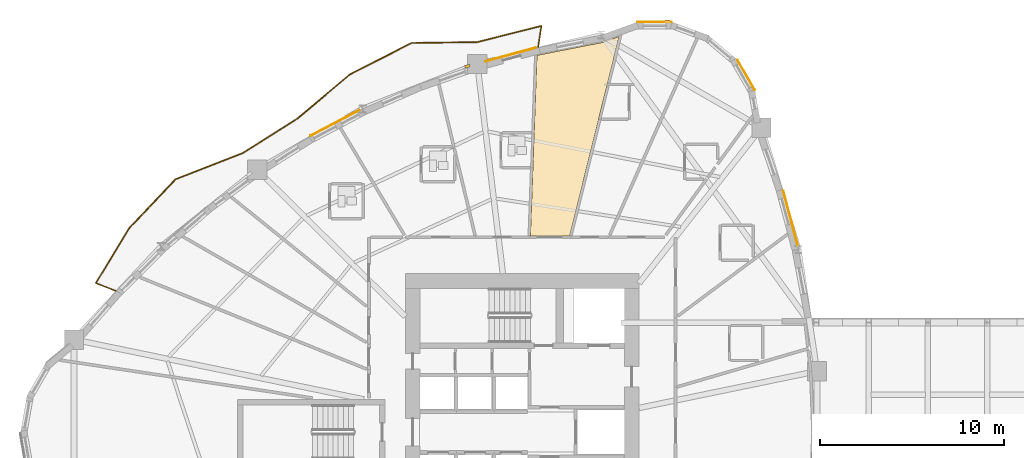
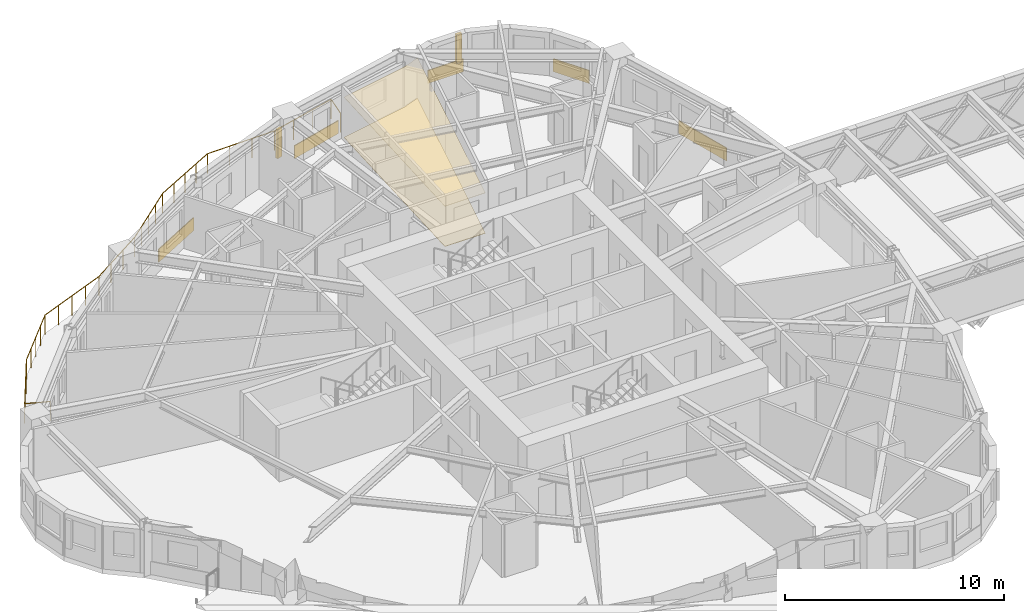
# One storey, part 15 of 16: 7 coverings, 2 shading devices, 1 railing.
"""IFC4 building model written with IfcOpenShell, lengths in metres."""

import ifcopenshell
import ifcopenshell.guid

model = None  # the IFC model being written
_history = None  # IfcOwnerHistory: only IFC2X3 demands one
_inside = {}  # id of a spatial element -> (the spatial element, [elements in it])
_under = {}  # id of a project, library or spatial element -> (it, [spatial elements below it])
_declared = {}  # id of a project -> (the project, [libraries it declares])
_typed = {}  # id of a type object -> (the type object, [elements of that type])
_made_of = {}  # id of a material, layer set ... -> (it, [elements and type objects made of it])


def new_model(schema):
    """Start an empty IFC model of exactly this schema.

    Asked for "IFC4X3", IfcOpenShell would pick the latest addendum, in which some entities
    have other attributes; the version numbers below select the first issue.
    IFC2X3 requires an IfcOwnerHistory on every rooted entity: one is made here for all.
    """
    global model, _history
    if schema == "IFC4X3":
        model = ifcopenshell.file(schema_version=(4, 3, 0, 0))
    else:
        model = ifcopenshell.file(schema=schema)
    _inside.clear()
    _under.clear()
    _declared.clear()
    _typed.clear()
    _made_of.clear()
    _history = None
    if model.schema == "IFC2X3":
        org = make("IfcOrganization", Name="unknown")
        user = make(
            "IfcPersonAndOrganization",
            ThePerson=make("IfcPerson", FamilyName="unknown"),
            TheOrganization=org,
        )
        app = make(
            "IfcApplication",
            ApplicationDeveloper=org,
            Version="unknown",
            ApplicationFullName="unknown",
            ApplicationIdentifier="unknown",
        )
        _history = make(
            "IfcOwnerHistory",
            OwningUser=user,
            OwningApplication=app,
            ChangeAction="ADDED",
            CreationDate=0,
        )
    return model


def make(cls, **values):
    """One entity of the class cls with the attributes given. An attribute that is None is left unset."""
    return model.create_entity(
        cls, **{name: value for name, value in values.items() if value is not None}
    )


def rooted(cls, **values):
    """An entity with a GlobalId (a new one), such as an element, a storey or a relation."""
    return make(cls, GlobalId=ifcopenshell.guid.new(), OwnerHistory=_history, **values)


def si_unit(unit_type, name, prefix=None):
    """IfcSIUnit, for example si_unit("LENGTHUNIT", "METRE", prefix="MILLI")."""
    return make("IfcSIUnit", UnitType=unit_type, Prefix=prefix, Name=name)


def assignment(units):
    """IfcUnitAssignment: the units of a project."""
    return None if units is None else make("IfcUnitAssignment", Units=units)


def point(xyz):
    """IfcCartesianPoint."""
    return None if xyz is None else make("IfcCartesianPoint", Coordinates=xyz)


def direction(xyz):
    """IfcDirection."""
    return None if xyz is None else make("IfcDirection", DirectionRatios=xyz)


def frame(location, z_axis=None, x_axis=None):
    """IfcAxis2Placement3D, a coordinate frame: its origin and axes. An axis left out is left unset."""
    return make(
        "IfcAxis2Placement3D",
        Location=point(location),
        Axis=direction(z_axis),
        RefDirection=direction(x_axis),
    )


def frame_2d(location, x_axis=None):
    """IfcAxis2Placement2D, a coordinate frame in the plane: its origin and x axis."""
    return make(
        "IfcAxis2Placement2D", Location=point(location), RefDirection=direction(x_axis)
    )


def origin():
    """The frame at (0, 0, 0) with its axes left unset."""
    return frame((0.0, 0.0, 0.0))


def origin_2d():
    """The frame at (0, 0) in the plane with its x axis left unset."""
    return frame_2d((0.0, 0.0))


def place(relative_to, where):
    """IfcLocalPlacement: puts the frame where relative to a parent placement (None: the world)."""
    return make(
        "IfcLocalPlacement", PlacementRelTo=relative_to, RelativePlacement=where
    )


def context(
    kind, dimensions, precision=None, world=None, true_north=None, identifier=None
):
    """IfcGeometricRepresentationContext, for example the 3D "Model" context."""
    return make(
        "IfcGeometricRepresentationContext",
        ContextIdentifier=identifier,
        ContextType=kind,
        CoordinateSpaceDimension=dimensions,
        Precision=precision,
        WorldCoordinateSystem=world,
        TrueNorth=true_north,
    )


def subcontext(parent, identifier, kind, view, scale=None):
    """IfcGeometricRepresentationSubContext, for example "Body" below "Model"."""
    return make(
        "IfcGeometricRepresentationSubContext",
        ContextIdentifier=identifier,
        ContextType=kind,
        ParentContext=parent,
        TargetScale=scale,
        TargetView=view,
    )


def project(units=None, contexts=None):
    """IfcProject with its units and contexts."""
    return rooted(
        "IfcProject",
        Name="project",
        RepresentationContexts=contexts,
        UnitsInContext=assignment(units),
    )


def spatial(cls, under=None, at=None, **own):
    """A site, building, storey or space (cls), placed at a placement, below another one or the project."""
    s = rooted(cls, ObjectPlacement=at, **own)
    if under is not None:
        _under.setdefault(under.id(), (under, []))[1].append(s)
    return s


def polyline(points):
    """IfcPolyline through the points."""
    return make("IfcPolyline", Points=[point(p) for p in points])


def profile(cls, at=None, kind="AREA", **sizes):
    """A parametric profile (cls). Its sizes go by their IFC names, for example OverallWidth=200.0."""
    return make(cls, ProfileType=kind, Position=at, **sizes)


def rectangle(**sizes):
    """IfcRectangleProfileDef."""
    return profile("IfcRectangleProfileDef", **sizes)


def circle(**sizes):
    """IfcCircleProfileDef."""
    return profile("IfcCircleProfileDef", **sizes)


def outline(outer, holes=None, kind="AREA"):
    """IfcArbitraryClosedProfileDef: a profile drawn as a closed curve; with holes, ...WithVoids."""
    if holes is None:
        return make("IfcArbitraryClosedProfileDef", ProfileType=kind, OuterCurve=outer)
    return make(
        "IfcArbitraryProfileDefWithVoids",
        ProfileType=kind,
        OuterCurve=outer,
        InnerCurves=holes,
    )


def extrude(swept, where, along, depth):
    """IfcExtrudedAreaSolid: the profile swept, set in the frame where, extruded along a direction by depth."""
    return make(
        "IfcExtrudedAreaSolid",
        SweptArea=swept,
        Position=where,
        ExtrudedDirection=direction(along),
        Depth=depth,
    )


def shape(context_of_items, identifier, shape_type, items):
    """IfcShapeRepresentation: the items that make up one representation, for example the "Body"."""
    return make(
        "IfcShapeRepresentation",
        ContextOfItems=context_of_items,
        RepresentationIdentifier=identifier,
        RepresentationType=shape_type,
        Items=items,
    )


def source(mapping_origin, context_of_items, identifier, shape_type, items):
    """IfcRepresentationMap: a shape defined once, which mapped items show again and again."""
    return make(
        "IfcRepresentationMap",
        MappingOrigin=mapping_origin,
        MappedRepresentation=shape(context_of_items, identifier, shape_type, items),
    )


def transform(
    local_origin,
    x_axis=None,
    y_axis=None,
    z_axis=None,
    scale=None,
    scale2=None,
    scale3=None,
    uniform=True,
):
    """IfcCartesianTransformationOperator3D, or its non-uniform kind. x_axis, y_axis, z_axis: its Axis1, 2, 3."""
    if uniform:
        return make(
            "IfcCartesianTransformationOperator3D",
            Axis1=direction(x_axis),
            Axis2=direction(y_axis),
            LocalOrigin=point(local_origin),
            Scale=scale,
            Axis3=direction(z_axis),
        )
    return make(
        "IfcCartesianTransformationOperator3DnonUniform",
        Axis1=direction(x_axis),
        Axis2=direction(y_axis),
        LocalOrigin=point(local_origin),
        Scale=scale,
        Axis3=direction(z_axis),
        Scale2=scale2,
        Scale3=scale3,
    )


def mapped(mapping_source, mapping_target):
    """IfcMappedItem: shows the shape of a source again, moved by a transform."""
    return make(
        "IfcMappedItem", MappingSource=mapping_source, MappingTarget=mapping_target
    )


def material(Name=None, Category=None):
    """IfcMaterial."""
    return make("IfcMaterial", Name=Name, Category=Category)


def layer(
    of_material, thickness, ventilated=None, Name=None, Category=None, Priority=None
):
    """IfcMaterialLayer: one layer of a wall or slab, of a material (None: an air gap)."""
    return make(
        "IfcMaterialLayer",
        Material=of_material,
        LayerThickness=thickness,
        IsVentilated=ventilated,
        Name=Name,
        Category=Category,
        Priority=Priority,
    )


def layer_set(layers, Name=None):
    """IfcMaterialLayerSet."""
    return make("IfcMaterialLayerSet", MaterialLayers=layers, LayerSetName=Name)


def made_of(thing, what):
    """Note that an element or type object is made of a material, layer set ...; save() writes the relation."""
    if what is not None:
        _made_of.setdefault(what.id(), (what, []))[1].append(thing)
    return thing


def type_object(cls, material=None, **own):
    """A type object (cls), such as IfcWallType, which elements share."""
    return made_of(rooted(cls, **own), material)


def element(
    cls,
    number,
    at=None,
    inside=None,
    cuts=None,
    type_object=None,
    material=None,
    context=None,
    identifier="Body",
    shape_type=None,
    held_by="IfcProductDefinitionShape",
    body=None,
    shapes=None,
    **own,
):
    """One element of the class cls, such as IfcWall. Its Tag is "e" and its number.

    at: its placement. inside: the storey or other place that contains it. cuts: it is an
    opening in that element (IfcRelVoidsElement). A single representation is given by context,
    identifier, shape_type and body (its items); several are given by shapes. held_by: the class
    of the entity that holds the representations. save() writes the other relations.
    """
    e = rooted(cls, Tag="e%d" % number, ObjectPlacement=at, **own)
    if body is not None:
        shapes = [shape(context, identifier, shape_type, body)]
    if shapes is not None:
        e.Representation = make(held_by, Representations=shapes)
    if inside is not None:
        _inside.setdefault(inside.id(), (inside, []))[1].append(e)
    if cuts is not None:
        rooted(
            "IfcRelVoidsElement", RelatingBuildingElement=cuts, RelatedOpeningElement=e
        )
    if type_object is not None:
        _typed.setdefault(type_object.id(), (type_object, []))[1].append(e)
    return made_of(e, material)


def aggregate(whole, parts):
    """IfcRelAggregates: a whole, such as a stair, and the parts it consists of."""
    return rooted("IfcRelAggregates", RelatingObject=whole, RelatedObjects=parts)


def save(model, path):
    """Write the relations noted so far, then the file.

    IfcRelAggregates (storeys below a building ...), IfcRelContainedInSpatialStructure (elements
    in a storey), IfcRelDefinesByType, IfcRelAssociatesMaterial and IfcRelDeclares: one each for
    every whole, place, type object, material and project.
    """
    for whole, parts in _under.values():
        aggregate(whole, parts)
    for where, things in _inside.values():
        rooted(
            "IfcRelContainedInSpatialStructure",
            RelatedElements=things,
            RelatingStructure=where,
        )
    for kind, things in _typed.values():
        rooted("IfcRelDefinesByType", RelatedObjects=things, RelatingType=kind)
    for what, things in _made_of.values():
        rooted("IfcRelAssociatesMaterial", RelatedObjects=things, RelatingMaterial=what)
    for by, libraries in _declared.values():
        rooted("IfcRelDeclares", RelatingContext=by, RelatedDefinitions=libraries)
    model.write(path)


model = new_model("IFC4")

# Units and contexts
model_context = context("Model", 3, precision=1e-05, world=origin(), true_north=direction((0.0, 1.0)))
body_context = subcontext(model_context, "Body", "Model", "MODEL_VIEW")
ifc_project = project(units=[si_unit("LENGTHUNIT", "METRE"), si_unit("AREAUNIT", "SQUARE_METRE"), si_unit("VOLUMEUNIT", "CUBIC_METRE"), si_unit("PLANEANGLEUNIT", "RADIAN"), si_unit("MASSUNIT", "GRAM", prefix="KILO")], contexts=[model_context])

# Site, building, storey
site_placement = place(None, origin())
site = spatial("IfcSite", under=ifc_project, at=site_placement, CompositionType="ELEMENT")
building_placement = place(site_placement, origin())
building = spatial("IfcBuilding", under=site, at=building_placement, Name="Qafzar Sky-Pleat Residences", CompositionType="ELEMENT")
storey_placement = place(building_placement, frame((0.0, 0.0, 30.199951171875)))
storey = spatial("IfcBuildingStorey", under=building, at=storey_placement, Name="L08", CompositionType="ELEMENT", Elevation=30.199951171875)

# Coverings
ifc_material_1 = material(Name="Perforated acoustic gypsum board ceiling")
ifc_layer_1 = layer(ifc_material_1, 0.02001953125)
ifc_layer_set_1 = layer_set([ifc_layer_1], Name="Perforated acoustic gypsum board ceiling")
covering_type_1 = type_object("IfcCoveringType", Name="COV-CEIL-ACOUSTIC", PredefinedType="CEILING", material=ifc_layer_set_1)
covering_1_placement = place(storey_placement, frame((0.0, 0.0, 2.239990234375)))
element("IfcCovering", 1, at=covering_1_placement, inside=storey, type_object=covering_type_1, Name="L08 Communal Kitchen Acoustic Ceiling", PredefinedType="CEILING", context=body_context, shape_type="SweptSolid", body=[
    extrude(outline(polyline([(34.752685546875, 47.1689453125), (35.615966796875, 47.483154296875), (32.927001953125, 36.639892578125), (30.796142578125, 36.639892578125), (31.152099609375, 46.44970703125), (31.306884765625, 46.49169921875), (34.752685546875, 47.1689453125)])), origin(), (0.0, 0.0, 1.0), 0.02001953125),
])
ifc_material_2 = material(Name="Honed porcelain and Riyadh stone tile flooring", Category="masonry")
ifc_layer_2 = layer(ifc_material_2, 0.02001953125)
ifc_layer_set_2 = layer_set([ifc_layer_2], Name="Honed porcelain and Riyadh stone tile flooring")
covering_type_2 = type_object("IfcCoveringType", Name="COV-FLR-PORCELAIN", PredefinedType="FLOORING", material=ifc_layer_set_2)
covering_2_placement = place(storey_placement, origin())
element("IfcCovering", 2, at=covering_2_placement, inside=storey, type_object=covering_type_2, Name="L08 Communal Kitchen Honed Stone Flooring", PredefinedType="FLOORING", context=body_context, shape_type="SweptSolid", body=[
    extrude(outline(polyline([(34.752685546875, 47.1689453125), (35.615966796875, 47.483154296875), (32.927001953125, 36.639892578125), (30.796142578125, 36.639892578125), (31.152099609375, 46.44970703125), (31.306884765625, 46.49169921875), (34.752685546875, 47.1689453125)])), origin(), (0.0, 0.0, 1.0), 0.02001953125),
])

# Shading devices
ifc_material_3 = material(Name="Honed Riyadh limestone solar fin", Category="masonry")
ifc_layer_3 = layer(ifc_material_3, 0.139892578125)
ifc_layer_set_3 = layer_set([ifc_layer_3], Name="Honed Riyadh limestone solar fin")
shading_device_type = type_object("IfcShadingDeviceType", Name="SHD-FIN-STONE", PredefinedType="SHUTTER", material=ifc_layer_set_3)
shared_shape_1 = source(origin(), body_context, "Body", "SweptSolid", [
    extrude(rectangle(XDim=0.139892578125, YDim=0.280029296875, at=origin_2d()), origin(), (0.0, 0.0, 1.0), 1.60009765625),
])
for number, where, z_axis, x_axis, name in (
    (3, (38.25, 48.309326171875, 0.60009765625), (0.0, 0.0, 1.0), (0.0, 1.0, 0.0), "L08 Limestone Solar Fin 37"),
    (4, (27.375732421875, 45.871337890625, 0.60009765625), (0.0, 0.0, 1.0), (-0.329566810973, 0.944132256151, 0.0), "L08 Limestone Solar Fin 41"),
):
    element("IfcShadingDevice", number, at=place(storey_placement, frame(where, z_axis=z_axis, x_axis=x_axis)), inside=storey, type_object=shading_device_type, Name=name, PredefinedType="SHUTTER", context=body_context, shape_type="MappedRepresentation", body=[
        mapped(shared_shape_1, transform((0.0, 0.0, 0.0), x_axis=(1.0, 0.0, 0.0), y_axis=(0.0, 1.0, 0.0), z_axis=(0.0, 0.0, 1.0), scale=1.0)),
    ])

# Coverings
ifc_material_4 = material(Name="Honed Riyadh Tuwaiq limestone cladding", Category="masonry")
ifc_layer_4 = layer(ifc_material_4, 0.044921875)
ifc_layer_set_4 = layer_set([ifc_layer_4], Name="Honed Riyadh Tuwaiq limestone cladding")
covering_type_3 = type_object("IfcCoveringType", Name="COV-CLAD-STONE", PredefinedType="CLADDING", material=ifc_layer_set_4)
shared_shape_2 = source(origin(), body_context, "Body", "SweptSolid", [
    extrude(rectangle(XDim=1.88134765625, YDim=0.044921875, at=origin_2d()), origin(), (0.0, 0.0, 1.0), 0.719970703125),
])
for number, where, z_axis, x_axis, name in (
    (5, (42.5107421875, 45.3994140625, 0.02001953125), (0.0, 0.0, 1.0), (-0.499972303345, 0.866041393865, 0.0), "L08 Riyadh Limestone Spandrel Cladding 34"),
    (6, (37.544921875, 48.266357421875, 0.02001953125), (0.0, 0.0, 1.0), (-1.0, 0.0, 0.0), "L08 Riyadh Limestone Spandrel Cladding 37"),
):
    element("IfcCovering", number, at=place(storey_placement, frame(where, z_axis=z_axis, x_axis=x_axis)), inside=storey, type_object=covering_type_3, Name=name, PredefinedType="CLADDING", context=body_context, shape_type="MappedRepresentation", body=[
        mapped(shared_shape_2, transform((0.0, 0.0, 0.0), x_axis=(1.0, 0.0, 0.0), y_axis=(0.0, 1.0, 0.0), z_axis=(0.0, 0.0, 1.0), scale=1.0)),
    ])

# Railing
ifc_material_5 = material(Name="Laminated glass and bronze steel balustrade", Category="steel")
railing_type = type_object("IfcRailingType", Name="RAIL-BAL-1100", PredefinedType="BALUSTRADE", material=ifc_material_5)
shared_shape_3 = source(origin(), body_context, "Body", "SweptSolid", [
    extrude(circle(Radius=0.02392578125, at=origin_2d()), frame((0.0, 0.0, 1.076171875), z_axis=(0.152119477922, 0.988362112, 0.0), x_axis=(-0.988362112, 0.152119477922, 0.0)), (0.0, 0.0, 1.0), 1.177978515625),
    extrude(circle(Radius=0.02392578125, at=origin_2d()), frame((0.17919921875, 1.164306640625, 1.076171875), z_axis=(-0.969794268424, -0.243924326242, 0.0), x_axis=(0.243924326242, -0.969794268424, 0.0)), (0.0, 0.0, 1.0), 3.59814453125),
    extrude(circle(Radius=0.02392578125, at=origin_2d()), frame((-3.310302734375, 0.28662109375, 1.076171875), z_axis=(-0.999902236861, -0.013982729389, 0.0), x_axis=(0.013982729389, -0.999902236861, 0.0)), (0.0, 0.0, 1.0), 3.561767578125),
    extrude(circle(Radius=0.02392578125, at=origin_2d()), frame((-6.871826171875, 0.23681640625, 1.076171875), z_axis=(-0.890602457087, -0.454782655156, 0.0), x_axis=(0.454782655156, -0.890602457087, 0.0)), (0.0, 0.0, 1.0), 3.74658203125),
    extrude(circle(Radius=0.02392578125, at=origin_2d()), frame((-10.20849609375, -1.467041015625, 1.076171875), z_axis=(-0.766473267475, -0.642276210245, 0.0), x_axis=(0.642276210245, -0.766473267475, 0.0)), (0.0, 0.0, 1.0), 3.71533203125),
    extrude(circle(Radius=0.02392578125, at=origin_2d()), frame((-13.05615234375, -3.853271484375, 1.076171875), z_axis=(-0.844776229724, -0.535119726504, 0.0), x_axis=(0.535119726504, -0.844776229724, 0.0)), (0.0, 0.0, 1.0), 3.520263671875),
    extrude(circle(Radius=0.02392578125, at=origin_2d()), frame((-16.030029296875, -5.737060546875, 1.076171875), z_axis=(-0.931702298769, -0.363222833076, 0.0), x_axis=(0.363222833076, -0.931702298769, 0.0)), (0.0, 0.0, 1.0), 3.9287109375),
    extrude(circle(Radius=0.02392578125, at=origin_2d()), frame((-19.6904296875, -7.1640625, 1.076171875), z_axis=(-0.687520611705, -0.726164863155, 0.0), x_axis=(0.726164863155, -0.687520611705, 0.0)), (0.0, 0.0, 1.0), 3.657958984375),
    extrude(circle(Radius=0.02392578125, at=origin_2d()), frame((-22.205322265625, -9.8203125, 1.076171875), z_axis=(-0.51910211964, -0.854712226065, 0.0), x_axis=(0.854712226065, -0.51910211964, 0.0)), (0.0, 0.0, 1.0), 3.493896484375),
    extrude(circle(Radius=0.02392578125, at=origin_2d()), frame((-24.01904296875, -12.806640625, 1.076171875), z_axis=(0.932063004359, -0.362296226733, 0.0), x_axis=(0.362296226733, 0.932063004359, 0.0)), (0.0, 0.0, 1.0), 1.177978515625),
    extrude(circle(Radius=0.02099609375, at=origin_2d()), origin(), (0.0, 0.0, 1.0), 1.052001953125),
    extrude(circle(Radius=0.02099609375, at=origin_2d()), frame((0.17919921875, 1.164306640625, 0.0)), (0.0, 0.0, 1.0), 1.052001953125),
    extrude(circle(Radius=0.02099609375, at=origin_2d()), frame((-0.98388671875, 0.871826171875, 0.0)), (0.0, 0.0, 1.0), 1.052001953125),
    extrude(circle(Radius=0.02099609375, at=origin_2d()), frame((-2.147216796875, 0.5791015625, 0.0)), (0.0, 0.0, 1.0), 1.052001953125),
    extrude(circle(Radius=0.02099609375, at=origin_2d()), frame((-3.310302734375, 0.28662109375, 0.0)), (0.0, 0.0, 1.0), 1.052001953125),
    extrude(circle(Radius=0.02099609375, at=origin_2d()), frame((-4.49755859375, 0.27001953125, 0.0)), (0.0, 0.0, 1.0), 1.052001953125),
    extrude(circle(Radius=0.02099609375, at=origin_2d()), frame((-5.6845703125, 0.25341796875, 0.0)), (0.0, 0.0, 1.0), 1.052001953125),
    extrude(circle(Radius=0.02099609375, at=origin_2d()), frame((-6.871826171875, 0.23681640625, 0.0)), (0.0, 0.0, 1.0), 1.052001953125),
    extrude(circle(Radius=0.02099609375, at=origin_2d()), frame((-7.7060546875, -0.189208984375, 0.0)), (0.0, 0.0, 1.0), 1.052001953125),
    extrude(circle(Radius=0.02099609375, at=origin_2d()), frame((-8.5400390625, -0.615234375, 0.0)), (0.0, 0.0, 1.0), 1.052001953125),
    extrude(circle(Radius=0.02099609375, at=origin_2d()), frame((-9.374267578125, -1.041015625, 0.0)), (0.0, 0.0, 1.0), 1.052001953125),
    extrude(circle(Radius=0.02099609375, at=origin_2d()), frame((-10.20849609375, -1.467041015625, 0.0)), (0.0, 0.0, 1.0), 1.052001953125),
    extrude(circle(Radius=0.02099609375, at=origin_2d()), frame((-10.92041015625, -2.0634765625, 0.0)), (0.0, 0.0, 1.0), 1.052001953125),
    extrude(circle(Radius=0.02099609375, at=origin_2d()), frame((-11.63232421875, -2.66015625, 0.0)), (0.0, 0.0, 1.0), 1.052001953125),
    extrude(circle(Radius=0.02099609375, at=origin_2d()), frame((-12.34423828125, -3.2568359375, 0.0)), (0.0, 0.0, 1.0), 1.052001953125),
    extrude(circle(Radius=0.02099609375, at=origin_2d()), frame((-13.05615234375, -3.853271484375, 0.0)), (0.0, 0.0, 1.0), 1.052001953125),
    extrude(circle(Radius=0.02099609375, at=origin_2d()), frame((-14.04736328125, -4.481201171875, 0.0)), (0.0, 0.0, 1.0), 1.052001953125),
    extrude(circle(Radius=0.02099609375, at=origin_2d()), frame((-15.038818359375, -5.109130859375, 0.0)), (0.0, 0.0, 1.0), 1.052001953125),
    extrude(circle(Radius=0.02099609375, at=origin_2d()), frame((-16.030029296875, -5.737060546875, 0.0)), (0.0, 0.0, 1.0), 1.052001953125),
    extrude(circle(Radius=0.02099609375, at=origin_2d()), frame((-16.945068359375, -6.09375, 0.0)), (0.0, 0.0, 1.0), 1.052001953125),
    extrude(circle(Radius=0.02099609375, at=origin_2d()), frame((-17.8603515625, -6.45068359375, 0.0)), (0.0, 0.0, 1.0), 1.052001953125),
    extrude(circle(Radius=0.02099609375, at=origin_2d()), frame((-18.775390625, -6.807373046875, 0.0)), (0.0, 0.0, 1.0), 1.052001953125),
    extrude(circle(Radius=0.02099609375, at=origin_2d()), frame((-19.6904296875, -7.1640625, 0.0)), (0.0, 0.0, 1.0), 1.052001953125),
    extrude(circle(Radius=0.02099609375, at=origin_2d()), frame((-20.319091796875, -7.828125, 0.0)), (0.0, 0.0, 1.0), 1.052001953125),
    extrude(circle(Radius=0.02099609375, at=origin_2d()), frame((-20.94775390625, -8.4921875, 0.0)), (0.0, 0.0, 1.0), 1.052001953125),
    extrude(circle(Radius=0.02099609375, at=origin_2d()), frame((-21.57666015625, -9.15625, 0.0)), (0.0, 0.0, 1.0), 1.052001953125),
    extrude(circle(Radius=0.02099609375, at=origin_2d()), frame((-22.205322265625, -9.8203125, 0.0)), (0.0, 0.0, 1.0), 1.052001953125),
    extrude(circle(Radius=0.02099609375, at=origin_2d()), frame((-22.809814453125, -10.815673828125, 0.0)), (0.0, 0.0, 1.0), 1.052001953125),
    extrude(circle(Radius=0.02099609375, at=origin_2d()), frame((-23.41455078125, -11.811279296875, 0.0)), (0.0, 0.0, 1.0), 1.052001953125),
    extrude(circle(Radius=0.02099609375, at=origin_2d()), frame((-24.01904296875, -12.806640625, 0.0)), (0.0, 0.0, 1.0), 1.052001953125),
    extrude(circle(Radius=0.02099609375, at=origin_2d()), frame((-22.921142578125, -13.2333984375, 0.0)), (0.0, 0.0, 1.0), 1.052001953125),
])
railing_placement = place(storey_placement, frame((31.218017578125, 46.893310546875, 0.0)))
element("IfcRailing", 7, at=railing_placement, inside=storey, type_object=railing_type, Name="L08 Pleated Balcony 1 Balustrade", PredefinedType="BALUSTRADE", context=body_context, shape_type="MappedRepresentation", body=[
    mapped(shared_shape_3, transform((0.0, 0.0, 0.0), x_axis=(1.0, 0.0, 0.0), y_axis=(0.0, 1.0, 0.0), z_axis=(0.0, 0.0, 1.0), scale=1.0)),
])

# Coverings
shared_shape_4 = source(origin(), body_context, "Body", "SweptSolid", [
    extrude(rectangle(XDim=3.095458984375, YDim=0.044921875, at=origin_2d()), origin(), (0.0, 0.0, 1.0), 0.719970703125),
])
covering_3_placement = place(storey_placement, frame((44.92919921875, 37.606201171875, 0.02001953125), z_axis=(0.0, 0.0, 1.0), x_axis=(-0.257052746506, 0.966397374538, 0.0)))
element("IfcCovering", 8, at=covering_3_placement, inside=storey, type_object=covering_type_3, Name="L08 Riyadh Limestone Spandrel Cladding 31", PredefinedType="CLADDING", context=body_context, shape_type="MappedRepresentation", body=[
    mapped(shared_shape_4, transform((0.0, 0.0, 0.0), x_axis=(1.0, 0.0, 0.0), y_axis=(0.0, 1.0, 0.0), z_axis=(0.0, 0.0, 1.0), scale=1.0)),
])
shared_shape_5 = source(origin(), body_context, "Body", "SweptSolid", [
    extrude(rectangle(XDim=2.843505859375, YDim=0.044921875, at=origin_2d()), origin(), (0.0, 0.0, 1.0), 0.719970703125),
])
covering_4_placement = place(storey_placement, frame((29.721923828125, 46.5009765625, 0.02001953125), z_axis=(0.0, 0.0, 1.0), x_axis=(-0.965461572029, -0.260545491106, 0.0)))
element("IfcCovering", 9, at=covering_4_placement, inside=storey, type_object=covering_type_3, Name="L08 Riyadh Limestone Spandrel Cladding 40", PredefinedType="CLADDING", context=body_context, shape_type="MappedRepresentation", body=[
    mapped(shared_shape_5, transform((0.0, 0.0, 0.0), x_axis=(1.0, 0.0, 0.0), y_axis=(0.0, 1.0, 0.0), z_axis=(0.0, 0.0, 1.0), scale=1.0)),
])
shared_shape_6 = source(origin(), body_context, "Body", "SweptSolid", [
    extrude(rectangle(XDim=2.994140625, YDim=0.044921875, at=origin_2d()), origin(), (0.0, 0.0, 1.0), 0.719970703125),
])
covering_5_placement = place(storey_placement, frame((20.18408203125, 42.78759765625, 0.02001953125), z_axis=(0.0, 0.0, 1.0), x_axis=(-0.884388199509, -0.466752088983, 0.0)))
element("IfcCovering", 10, at=covering_5_placement, inside=storey, type_object=covering_type_3, Name="L08 Riyadh Limestone Spandrel Cladding 43", PredefinedType="CLADDING", context=body_context, shape_type="MappedRepresentation", body=[
    mapped(shared_shape_6, transform((0.0, 0.0, 0.0), x_axis=(1.0, 0.0, 0.0), y_axis=(0.0, 1.0, 0.0), z_axis=(0.0, 0.0, 1.0), scale=1.0)),
])

save(model, "model.ifc")
